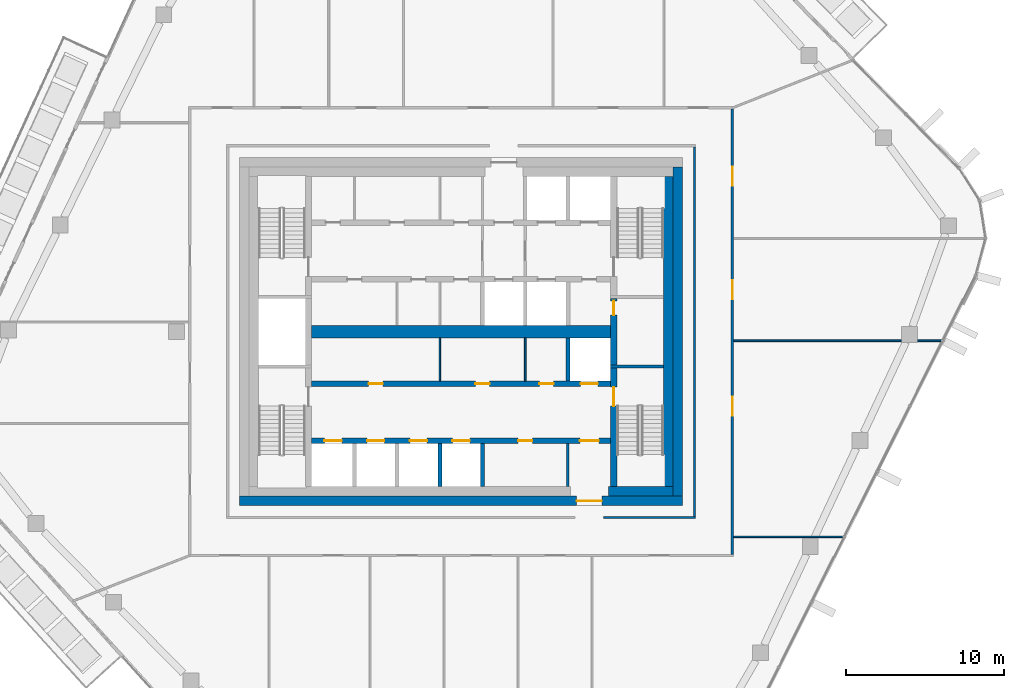
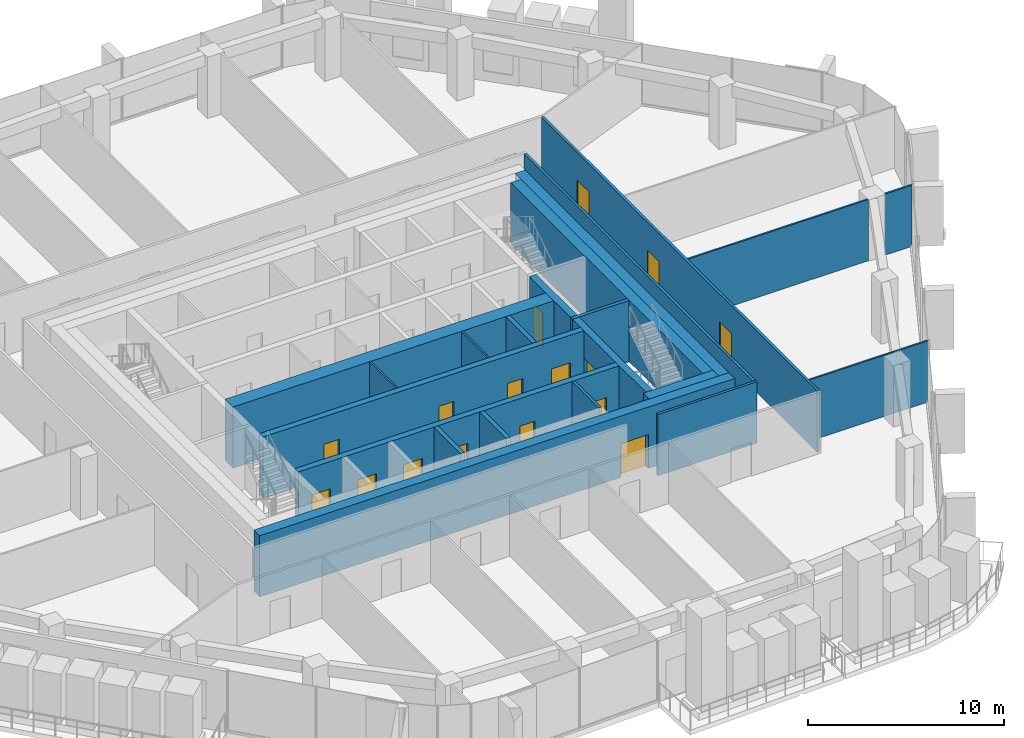
# One storey, part 14 of 23: 22 walls, 16 doors, 16 openings.
"""IFC4 building model written with IfcOpenShell, lengths in metres."""

from ifc_helpers import new_model, si_unit, direction, frame, frame_2d, origin, place, context, subcontext, project, spatial, rectangle, extrude, material, layer, layer_set, type_object, element, fill, save


model = new_model("IFC4")

# Units and contexts
model_context = context("Model", 3, precision=1e-05, world=origin(), true_north=direction((0.0, 1.0)))
body_context = subcontext(model_context, "Body", "Model", "MODEL_VIEW")
ifc_project = project(units=[si_unit("LENGTHUNIT", "METRE"), si_unit("AREAUNIT", "SQUARE_METRE"), si_unit("VOLUMEUNIT", "CUBIC_METRE"), si_unit("PLANEANGLEUNIT", "RADIAN"), si_unit("MASSUNIT", "GRAM", prefix="KILO")], contexts=[model_context])

# Site, building, storey
site_placement = place(None, origin())
site = spatial("IfcSite", under=ifc_project, at=site_placement, CompositionType="ELEMENT")
building_placement = place(site_placement, origin())
building = spatial("IfcBuilding", under=site, at=building_placement, Name="Dongbaek Canopy Tower", CompositionType="ELEMENT")
storey_placement = place(building_placement, frame((0.0, 0.0, 315.199951171875)))
storey = spatial("IfcBuildingStorey", under=building, at=storey_placement, Name="L67", CompositionType="ELEMENT", Elevation=315.199951171875)

# Wall
ifc_material_1 = material(Name="Concrete C60/75", Category="concrete")
ifc_layer_1 = layer(ifc_material_1, 0.800048828125)
ifc_layer_set_1 = layer_set([ifc_layer_1], Name="Core central wall 800 Concrete C60/75")
wall_type_1 = type_object("IfcWallType", Name="Core central wall 800 Concrete C60/75", PredefinedType="SHEAR", material=ifc_layer_set_1)
wall_1_placement = place(storey_placement, frame((-9.449951171875, 0.0, 0.0), z_axis=(0.0, 0.0, 1.0), x_axis=(1.0, 0.0, 0.0)))
element("IfcWall", 1, at=wall_1_placement, inside=storey, type_object=wall_type_1, Name="Core wall", PredefinedType="SHEAR", context=body_context, shape_type="SweptSolid", body=[
    extrude(rectangle(XDim=18.89990234375, YDim=0.800048828125, at=frame_2d((9.449951171875, 0.0))), origin(), (0.0, 0.0, 1.0), 3.820068359375),
])

# Wall, openings, doors
ifc_material_2 = material(Name="Concrete C60/75", Category="concrete")
ifc_layer_2 = layer(ifc_material_2, 0.35009765625)
ifc_layer_set_2 = layer_set([ifc_layer_2], Name="Core lobby wall 350 Concrete C60/75")
wall_type_2 = type_object("IfcWallType", Name="Core lobby wall 350 Concrete C60/75", PredefinedType="SHEAR", material=ifc_layer_set_2)
wall_2_placement = place(storey_placement, frame((-9.449951171875, -3.300048828125, 0.0), z_axis=(0.0, 0.0, 1.0), x_axis=(1.0, 0.0, 0.0)))
wall_2 = element("IfcWall", 2, at=wall_2_placement, inside=storey, type_object=wall_type_2, Name="Core wall", PredefinedType="SHEAR", context=body_context, shape_type="SweptSolid", body=[
    extrude(rectangle(XDim=18.89990234375, YDim=0.35009765625, at=frame_2d((9.449951171875, 0.0))), origin(), (0.0, 0.0, 1.0), 3.820068359375),
])
opening_1_placement = place(wall_2_placement, frame((17.0, 0.0, 0.0)))
opening_1 = element("IfcOpeningElement", 3, at=opening_1_placement, cuts=wall_2, Name="Opening L67-D027", PredefinedType="OPENING", context=body_context, shape_type="SweptSolid", body=[
    extrude(rectangle(XDim=1.10009765625, YDim=2.10009765625, at=frame_2d((0.550048828125, 1.050048828125))), frame((0.0, 0.18505859375, 0.0), z_axis=(0.0, -1.0, 0.0), x_axis=(1.0, 0.0, 0.0)), (0.0, 0.0, 1.0), 0.3701171875),
])
opening_2_placement = place(wall_2_placement, frame((3.60009765625, 0.0, 0.0)))
opening_2 = element("IfcOpeningElement", 4, at=opening_2_placement, cuts=wall_2, Name="Opening L67-D040", PredefinedType="OPENING", context=body_context, shape_type="SweptSolid", body=[
    extrude(rectangle(XDim=0.89990234375, YDim=2.10009765625, at=frame_2d((0.449951171875, 1.050048828125))), frame((0.0, 0.18505859375, 0.0), z_axis=(0.0, -1.0, 0.0), x_axis=(1.0, 0.0, 0.0)), (0.0, 0.0, 1.0), 0.3701171875),
])
opening_3_placement = place(wall_2_placement, frame((10.35009765625, 0.0, 0.0)))
opening_3 = element("IfcOpeningElement", 5, at=opening_3_placement, cuts=wall_2, Name="Opening L67-D041", PredefinedType="OPENING", context=body_context, shape_type="SweptSolid", body=[
    extrude(rectangle(XDim=0.89990234375, YDim=2.10009765625, at=frame_2d((0.449951171875, 1.050048828125))), frame((0.0, 0.18505859375, 0.0), z_axis=(0.0, -1.0, 0.0), x_axis=(1.0, 0.0, 0.0)), (0.0, 0.0, 1.0), 0.3701171875),
])
opening_4_placement = place(wall_2_placement, frame((14.39990234375, 0.0, 0.0)))
opening_4 = element("IfcOpeningElement", 6, at=opening_4_placement, cuts=wall_2, Name="Opening L67-D042", PredefinedType="OPENING", context=body_context, shape_type="SweptSolid", body=[
    extrude(rectangle(XDim=0.89990234375, YDim=2.10009765625, at=frame_2d((0.449951171875, 1.050048828125))), frame((0.0, 0.18505859375, 0.0), z_axis=(0.0, -1.0, 0.0), x_axis=(1.0, 0.0, 0.0)), (0.0, 0.0, 1.0), 0.3701171875),
])
ifc_material_3 = material(Name="Steel", Category="steel")
door_type_1 = type_object("IfcDoorType", Name="Core room door 900 x 2100", OperationType="SINGLE_SWING_LEFT", PredefinedType="DOOR", material=ifc_material_3)
door_1_placement = place(opening_2_placement, origin())
door_1 = element("IfcDoor", 7, at=door_1_placement, inside=storey, type_object=door_type_1, Name="Door L67-D040", OperationType="SINGLE_SWING_RIGHT", OverallHeight=2.10009765625, OverallWidth=0.89990234375, PredefinedType="DOOR", context=body_context, shape_type="SweptSolid", body=[
    extrude(rectangle(XDim=0.89990234375, YDim=2.10009765625, at=frame_2d((0.449951171875, 1.050048828125))), frame((0.0, 0.02490234375, 0.0), z_axis=(0.0, -1.0, 0.0), x_axis=(1.0, 0.0, 0.0)), (0.0, 0.0, 1.0), 0.050048828125),
])
fill(opening_2, door_1)
door_2_placement = place(opening_3_placement, origin())
door_2 = element("IfcDoor", 8, at=door_2_placement, inside=storey, type_object=door_type_1, Name="Door L67-D041", OperationType="SINGLE_SWING_LEFT", OverallHeight=2.10009765625, OverallWidth=0.89990234375, PredefinedType="DOOR", context=body_context, shape_type="SweptSolid", body=[
    extrude(rectangle(XDim=0.89990234375, YDim=2.10009765625, at=frame_2d((0.449951171875, 1.050048828125))), frame((0.0, 0.02490234375, 0.0), z_axis=(0.0, -1.0, 0.0), x_axis=(1.0, 0.0, 0.0)), (0.0, 0.0, 1.0), 0.050048828125),
])
fill(opening_3, door_2)
door_3_placement = place(opening_4_placement, origin())
door_3 = element("IfcDoor", 9, at=door_3_placement, inside=storey, type_object=door_type_1, Name="Door L67-D042", OperationType="SINGLE_SWING_RIGHT", OverallHeight=2.10009765625, OverallWidth=0.89990234375, PredefinedType="DOOR", context=body_context, shape_type="SweptSolid", body=[
    extrude(rectangle(XDim=0.89990234375, YDim=2.10009765625, at=frame_2d((0.449951171875, 1.050048828125))), frame((0.0, 0.02490234375, 0.0), z_axis=(0.0, -1.0, 0.0), x_axis=(1.0, 0.0, 0.0)), (0.0, 0.0, 1.0), 0.050048828125),
])
fill(opening_4, door_3)
ifc_material_4 = material(Name="Stainless steel", Category="steel")
door_type_2 = type_object("IfcDoorType", Name="Lift landing door 1100 x 2100", OperationType="DOUBLE_DOOR_SLIDING", PredefinedType="DOOR", material=ifc_material_4)
door_4_placement = place(opening_1_placement, origin())
door_4 = element("IfcDoor", 10, at=door_4_placement, inside=storey, type_object=door_type_2, Name="Landing door SV2", OperationType="DOUBLE_DOOR_SLIDING", OverallHeight=2.10009765625, OverallWidth=1.10009765625, PredefinedType="DOOR", context=body_context, shape_type="SweptSolid", body=[
    extrude(rectangle(XDim=1.10009765625, YDim=2.10009765625, at=frame_2d((0.550048828125, 1.050048828125))), frame((0.0, 0.02490234375, 0.0), z_axis=(0.0, -1.0, 0.0), x_axis=(1.0, 0.0, 0.0)), (0.0, 0.0, 1.0), 0.050048828125),
])
fill(opening_1, door_4)

wall_3_placement = place(storey_placement, frame((9.449951171875, -6.89990234375, 0.0), z_axis=(0.0, 0.0, 1.0), x_axis=(-1.0, 0.0, 0.0)))
wall_3 = element("IfcWall", 11, at=wall_3_placement, inside=storey, type_object=wall_type_2, Name="Core wall", PredefinedType="SHEAR", context=body_context, shape_type="SweptSolid", body=[
    extrude(rectangle(XDim=18.89990234375, YDim=0.35009765625, at=frame_2d((9.449951171875, 0.0))), origin(), (0.0, 0.0, 1.0), 3.820068359375),
])
opening_5_placement = place(wall_3_placement, frame((17.0, 0.0, 0.0)))
opening_5 = element("IfcOpeningElement", 12, at=opening_5_placement, cuts=wall_3, Name="Opening L67-D028", PredefinedType="OPENING", context=body_context, shape_type="SweptSolid", body=[
    extrude(rectangle(XDim=1.10009765625, YDim=2.10009765625, at=frame_2d((0.550048828125, 1.050048828125))), frame((0.0, 0.18505859375, 0.0), z_axis=(0.0, -1.0, 0.0), x_axis=(1.0, 0.0, 0.0)), (0.0, 0.0, 1.0), 0.3701171875),
])
opening_6_placement = place(wall_3_placement, frame((14.300048828125, 0.0, 0.0)))
opening_6 = element("IfcOpeningElement", 13, at=opening_6_placement, cuts=wall_3, Name="Opening L67-D029", PredefinedType="OPENING", context=body_context, shape_type="SweptSolid", body=[
    extrude(rectangle(XDim=1.10009765625, YDim=2.10009765625, at=frame_2d((0.550048828125, 1.050048828125))), frame((0.0, 0.18505859375, 0.0), z_axis=(0.0, -1.0, 0.0), x_axis=(1.0, 0.0, 0.0)), (0.0, 0.0, 1.0), 0.3701171875),
])
opening_7_placement = place(wall_3_placement, frame((11.60009765625, 0.0, 0.0)))
opening_7 = element("IfcOpeningElement", 14, at=opening_7_placement, cuts=wall_3, Name="Opening L67-D030", PredefinedType="OPENING", context=body_context, shape_type="SweptSolid", body=[
    extrude(rectangle(XDim=1.10009765625, YDim=2.10009765625, at=frame_2d((0.550048828125, 1.050048828125))), frame((0.0, 0.18505859375, 0.0), z_axis=(0.0, -1.0, 0.0), x_axis=(1.0, 0.0, 0.0)), (0.0, 0.0, 1.0), 0.3701171875),
])
opening_8_placement = place(wall_3_placement, frame((8.89990234375, 0.0, 0.0)))
opening_8 = element("IfcOpeningElement", 15, at=opening_8_placement, cuts=wall_3, Name="Opening L67-D031", PredefinedType="OPENING", context=body_context, shape_type="SweptSolid", body=[
    extrude(rectangle(XDim=1.10009765625, YDim=2.10009765625, at=frame_2d((0.550048828125, 1.050048828125))), frame((0.0, 0.18505859375, 0.0), z_axis=(0.0, -1.0, 0.0), x_axis=(1.0, 0.0, 0.0)), (0.0, 0.0, 1.0), 0.3701171875),
])
opening_9_placement = place(wall_3_placement, frame((0.75, 0.0, 0.0)))
opening_9 = element("IfcOpeningElement", 16, at=opening_9_placement, cuts=wall_3, Name="Opening L67-D033", PredefinedType="OPENING", context=body_context, shape_type="SweptSolid", body=[
    extrude(rectangle(XDim=1.199951171875, YDim=2.10009765625, at=frame_2d((0.60009765625, 1.050048828125))), frame((0.0, 0.18505859375, 0.0), z_axis=(0.0, -1.0, 0.0), x_axis=(1.0, 0.0, 0.0)), (0.0, 0.0, 1.0), 0.3701171875),
])
opening_10_placement = place(wall_3_placement, frame((4.949951171875, 0.0, 0.0)))
opening_10 = element("IfcOpeningElement", 17, at=opening_10_placement, cuts=wall_3, Name="Opening L67-D043", PredefinedType="OPENING", context=body_context, shape_type="SweptSolid", body=[
    extrude(rectangle(XDim=0.89990234375, YDim=2.10009765625, at=frame_2d((0.449951171875, 1.050048828125))), frame((0.0, 0.18505859375, 0.0), z_axis=(0.0, -1.0, 0.0), x_axis=(1.0, 0.0, 0.0)), (0.0, 0.0, 1.0), 0.3701171875),
])
door_5_placement = place(opening_10_placement, origin())
door_5 = element("IfcDoor", 18, at=door_5_placement, inside=storey, type_object=door_type_1, Name="Door L67-D043", OperationType="SINGLE_SWING_LEFT", OverallHeight=2.10009765625, OverallWidth=0.89990234375, PredefinedType="DOOR", context=body_context, shape_type="SweptSolid", body=[
    extrude(rectangle(XDim=0.89990234375, YDim=2.10009765625, at=frame_2d((0.449951171875, 1.050048828125))), frame((0.0, 0.02490234375, 0.0), z_axis=(0.0, -1.0, 0.0), x_axis=(1.0, 0.0, 0.0)), (0.0, 0.0, 1.0), 0.050048828125),
])
fill(opening_10, door_5)
ifc_material_5 = material(Name="Steel", Category="steel")
door_type_3 = type_object("IfcDoorType", Name="Fire lobby door 1200 x 2100", OperationType="SINGLE_SWING_LEFT", PredefinedType="DOOR", material=ifc_material_5)
door_6_placement = place(opening_9_placement, origin())
door_6 = element("IfcDoor", 19, at=door_6_placement, inside=storey, type_object=door_type_3, Name="Door L67-D033", OperationType="SINGLE_SWING_LEFT", OverallHeight=2.10009765625, OverallWidth=1.199951171875, PredefinedType="DOOR", context=body_context, shape_type="SweptSolid", body=[
    extrude(rectangle(XDim=1.199951171875, YDim=2.10009765625, at=frame_2d((0.60009765625, 1.050048828125))), frame((0.0, 0.02490234375, 0.0), z_axis=(0.0, -1.0, 0.0), x_axis=(1.0, 0.0, 0.0)), (0.0, 0.0, 1.0), 0.050048828125),
])
fill(opening_9, door_6)
door_7_placement = place(opening_5_placement, origin())
door_7 = element("IfcDoor", 20, at=door_7_placement, inside=storey, type_object=door_type_2, Name="Landing door HR1", OperationType="DOUBLE_DOOR_SLIDING", OverallHeight=2.10009765625, OverallWidth=1.10009765625, PredefinedType="DOOR", context=body_context, shape_type="SweptSolid", body=[
    extrude(rectangle(XDim=1.10009765625, YDim=2.10009765625, at=frame_2d((0.550048828125, 1.050048828125))), frame((0.0, 0.02490234375, 0.0), z_axis=(0.0, -1.0, 0.0), x_axis=(1.0, 0.0, 0.0)), (0.0, 0.0, 1.0), 0.050048828125),
])
fill(opening_5, door_7)
door_8_placement = place(opening_6_placement, origin())
door_8 = element("IfcDoor", 21, at=door_8_placement, inside=storey, type_object=door_type_2, Name="Landing door HR2", OperationType="DOUBLE_DOOR_SLIDING", OverallHeight=2.10009765625, OverallWidth=1.10009765625, PredefinedType="DOOR", context=body_context, shape_type="SweptSolid", body=[
    extrude(rectangle(XDim=1.10009765625, YDim=2.10009765625, at=frame_2d((0.550048828125, 1.050048828125))), frame((0.0, 0.02490234375, 0.0), z_axis=(0.0, -1.0, 0.0), x_axis=(1.0, 0.0, 0.0)), (0.0, 0.0, 1.0), 0.050048828125),
])
fill(opening_6, door_8)
door_9_placement = place(opening_7_placement, origin())
door_9 = element("IfcDoor", 22, at=door_9_placement, inside=storey, type_object=door_type_2, Name="Landing door HR3", OperationType="DOUBLE_DOOR_SLIDING", OverallHeight=2.10009765625, OverallWidth=1.10009765625, PredefinedType="DOOR", context=body_context, shape_type="SweptSolid", body=[
    extrude(rectangle(XDim=1.10009765625, YDim=2.10009765625, at=frame_2d((0.550048828125, 1.050048828125))), frame((0.0, 0.02490234375, 0.0), z_axis=(0.0, -1.0, 0.0), x_axis=(1.0, 0.0, 0.0)), (0.0, 0.0, 1.0), 0.050048828125),
])
fill(opening_7, door_9)
door_10_placement = place(opening_8_placement, origin())
door_10 = element("IfcDoor", 23, at=door_10_placement, inside=storey, type_object=door_type_2, Name="Landing door HR4", OperationType="DOUBLE_DOOR_SLIDING", OverallHeight=2.10009765625, OverallWidth=1.10009765625, PredefinedType="DOOR", context=body_context, shape_type="SweptSolid", body=[
    extrude(rectangle(XDim=1.10009765625, YDim=2.10009765625, at=frame_2d((0.550048828125, 1.050048828125))), frame((0.0, 0.02490234375, 0.0), z_axis=(0.0, -1.0, 0.0), x_axis=(1.0, 0.0, 0.0)), (0.0, 0.0, 1.0), 0.050048828125),
])
fill(opening_8, door_10)

# Wall, opening, door
ifc_material_6 = material(Name="Concrete C80/95", Category="concrete")
ifc_layer_3 = layer(ifc_material_6, 0.60009765625)
ifc_layer_set_3 = layer_set([ifc_layer_3], Name="Core outer wall 600 Concrete C80/95")
wall_type_3 = type_object("IfcWallType", Name="Core outer wall 600 Concrete C80/95", PredefinedType="SHEAR", material=ifc_layer_set_3)
wall_4_placement = place(storey_placement, frame((14.0, -10.699951171875, 0.0), z_axis=(0.0, 0.0, 1.0), x_axis=(-1.0, 0.0, 0.0)))
wall_4 = element("IfcWall", 24, at=wall_4_placement, inside=storey, type_object=wall_type_3, Name="Core wall", PredefinedType="SHEAR", context=body_context, shape_type="SweptSolid", body=[
    extrude(rectangle(XDim=28.0, YDim=0.60009765625, at=frame_2d((14.0, 0.0))), origin(), (0.0, 0.0, 1.0), 3.820068359375),
])
opening_11_placement = place(wall_4_placement, frame((5.10009765625, 0.0, 0.0)))
opening_11 = element("IfcOpeningElement", 25, at=opening_11_placement, cuts=wall_4, Name="Opening L67-D032", PredefinedType="OPENING", context=body_context, shape_type="SweptSolid", body=[
    extrude(rectangle(XDim=1.60009765625, YDim=2.10009765625, at=frame_2d((0.800048828125, 1.050048828125))), frame((0.0, 0.31005859375, 0.0), z_axis=(0.0, -1.0, 0.0), x_axis=(1.0, 0.0, 0.0)), (0.0, 0.0, 1.0), 0.6201171875),
])
ifc_material_7 = material(Name="Steel", Category="steel")
door_type_4 = type_object("IfcDoorType", Name="Core exit door 1600 x 2100", OperationType="DOUBLE_DOOR_SINGLE_SWING", PredefinedType="DOOR", material=ifc_material_7)
door_11_placement = place(opening_11_placement, origin())
door_11 = element("IfcDoor", 26, at=door_11_placement, inside=storey, type_object=door_type_4, Name="Core exit door", OperationType="DOUBLE_DOOR_SINGLE_SWING", OverallHeight=2.10009765625, OverallWidth=1.60009765625, PredefinedType="DOOR", context=body_context, shape_type="SweptSolid", body=[
    extrude(rectangle(XDim=1.60009765625, YDim=2.10009765625, at=frame_2d((0.800048828125, 1.050048828125))), frame((0.0, 0.02490234375, 0.0), z_axis=(0.0, -1.0, 0.0), x_axis=(1.0, 0.0, 0.0)), (0.0, 0.0, 1.0), 0.050048828125),
])
fill(opening_11, door_11)

# Walls
wall_5_placement = place(storey_placement, frame((13.699951171875, 10.39990234375, 0.0), z_axis=(0.0, 0.0, 1.0), x_axis=(0.0, -1.0, 0.0)))
element("IfcWall", 27, at=wall_5_placement, inside=storey, type_object=wall_type_3, Name="Core wall", PredefinedType="SHEAR", context=body_context, shape_type="SweptSolid", body=[
    extrude(rectangle(XDim=20.7998046875, YDim=0.60009765625, at=frame_2d((10.39990234375, 0.0))), origin(), (0.0, 0.0, 1.0), 3.820068359375),
])
ifc_material_8 = material(Name="Concrete C60/75", Category="concrete")
ifc_layer_4 = layer(ifc_material_8, 0.60009765625)
ifc_layer_set_4 = layer_set([ifc_layer_4], Name="Core wall lining 600 Concrete C60/75")
wall_type_4 = type_object("IfcWallType", Name="Core wall lining 600 Concrete C60/75", PredefinedType="SHEAR", material=ifc_layer_set_4)
wall_6_placement = place(storey_placement, frame((13.39990234375, -10.10009765625, 0.0), z_axis=(0.0, 0.0, 1.0), x_axis=(-1.0, 0.0, 0.0)))
element("IfcWall", 28, at=wall_6_placement, inside=storey, type_object=wall_type_4, Name="Core wall lining", PredefinedType="SHEAR", context=body_context, shape_type="SweptSolid", body=[
    extrude(rectangle(XDim=4.099853515625, YDim=0.60009765625, at=frame_2d((2.0498046875, 0.0))), origin(), (0.0, 0.0, 1.0), 3.820068359375),
])
wall_7_placement = place(storey_placement, frame((13.10009765625, 9.800048828125, 0.0), z_axis=(0.0, 0.0, 1.0), x_axis=(0.0, -1.0, 0.0)))
element("IfcWall", 29, at=wall_7_placement, inside=storey, type_object=wall_type_4, Name="Core wall lining", PredefinedType="SHEAR", context=body_context, shape_type="SweptSolid", body=[
    extrude(rectangle(XDim=19.60009765625, YDim=0.60009765625, at=frame_2d((9.800048828125, 0.0))), origin(), (0.0, 0.0, 1.0), 3.820068359375),
])
ifc_material_9 = material(Name="Gypsum board partition, steel stud, 2 x 15 mm fire board", Category="steel")
ifc_layer_5 = layer(ifc_material_9, 0.14990234375)
ifc_layer_set_5 = layer_set([ifc_layer_5], Name="Fire-rated partition 150 gypsum board")
wall_type_5 = type_object("IfcWallType", Name="Fire-rated partition 150 gypsum board", PredefinedType="PARTITIONING", material=ifc_layer_set_5)
wall_8_placement = place(storey_placement, frame((9.0, -11.75, 0.0), z_axis=(0.0, 0.0, 1.0), x_axis=(1.0, 0.0, 0.0)))
element("IfcWall", 30, at=wall_8_placement, inside=storey, type_object=wall_type_5, Name="Corridor partition", PredefinedType="PARTITIONING", context=body_context, shape_type="SweptSolid", body=[
    extrude(rectangle(XDim=5.824951171875, YDim=0.14990234375, at=frame_2d((2.91259765625, 0.0))), origin(), (0.0, 0.0, 1.0), 3.820068359375),
])

# Wall, openings, doors
wall_9_placement = place(storey_placement, frame((17.14990234375, 14.074951171875, 0.0), z_axis=(0.0, 0.0, 1.0), x_axis=(0.0, -1.0, 0.0)))
wall_9 = element("IfcWall", 31, at=wall_9_placement, inside=storey, type_object=wall_type_5, Name="Corridor partition", PredefinedType="PARTITIONING", context=body_context, shape_type="SweptSolid", body=[
    extrude(rectangle(XDim=28.14990234375, YDim=0.14990234375, at=frame_2d((14.074951171875, 0.0))), origin(), (0.0, 0.0, 1.0), 3.820068359375),
])
opening_12_placement = place(wall_9_placement, frame((18.18212890625, 0.0, 0.0)))
opening_12 = element("IfcOpeningElement", 32, at=opening_12_placement, cuts=wall_9, Name="Opening L67-D009", PredefinedType="OPENING", context=body_context, shape_type="SweptSolid", body=[
    extrude(rectangle(XDim=1.199951171875, YDim=2.10009765625, at=frame_2d((0.60009765625, 1.050048828125))), frame((0.0, 0.0849609375, 0.0), z_axis=(0.0, -1.0, 0.0), x_axis=(1.0, 0.0, 0.0)), (0.0, 0.0, 1.0), 0.169921875),
])
opening_13_placement = place(wall_9_placement, frame((10.811279296875, 0.0, 0.0)))
opening_13 = element("IfcOpeningElement", 33, at=opening_13_placement, cuts=wall_9, Name="Opening L67-D010", PredefinedType="OPENING", context=body_context, shape_type="SweptSolid", body=[
    extrude(rectangle(XDim=1.199951171875, YDim=2.10009765625, at=frame_2d((0.60009765625, 1.050048828125))), frame((0.0, 0.0849609375, 0.0), z_axis=(0.0, -1.0, 0.0), x_axis=(1.0, 0.0, 0.0)), (0.0, 0.0, 1.0), 0.169921875),
])
opening_14_placement = place(wall_9_placement, frame((3.64697265625, 0.0, 0.0)))
opening_14 = element("IfcOpeningElement", 34, at=opening_14_placement, cuts=wall_9, Name="Opening L67-D011", PredefinedType="OPENING", context=body_context, shape_type="SweptSolid", body=[
    extrude(rectangle(XDim=1.199951171875, YDim=2.10009765625, at=frame_2d((0.60009765625, 1.050048828125))), frame((0.0, 0.0849609375, 0.0), z_axis=(0.0, -1.0, 0.0), x_axis=(1.0, 0.0, 0.0)), (0.0, 0.0, 1.0), 0.169921875),
])
ifc_material_10 = material(Name="Timber veneered door leaf", Category="wood")
door_type_5 = type_object("IfcDoorType", Name="Room door 1200 x 2100", OperationType="SINGLE_SWING_LEFT", PredefinedType="DOOR", material=ifc_material_10)
door_12_placement = place(opening_12_placement, origin())
door_12 = element("IfcDoor", 35, at=door_12_placement, inside=storey, type_object=door_type_5, Name="Door L67-D009", OperationType="SINGLE_SWING_RIGHT", OverallHeight=2.10009765625, OverallWidth=1.199951171875, PredefinedType="DOOR", context=body_context, shape_type="SweptSolid", body=[
    extrude(rectangle(XDim=1.199951171875, YDim=2.10009765625, at=frame_2d((0.60009765625, 1.050048828125))), frame((0.0, 0.02490234375, 0.0), z_axis=(0.0, -1.0, 0.0), x_axis=(1.0, 0.0, 0.0)), (0.0, 0.0, 1.0), 0.050048828125),
])
fill(opening_12, door_12)
door_13_placement = place(opening_13_placement, origin())
door_13 = element("IfcDoor", 36, at=door_13_placement, inside=storey, type_object=door_type_5, Name="Door L67-D010", OperationType="SINGLE_SWING_LEFT", OverallHeight=2.10009765625, OverallWidth=1.199951171875, PredefinedType="DOOR", context=body_context, shape_type="SweptSolid", body=[
    extrude(rectangle(XDim=1.199951171875, YDim=2.10009765625, at=frame_2d((0.60009765625, 1.050048828125))), frame((0.0, 0.02490234375, 0.0), z_axis=(0.0, -1.0, 0.0), x_axis=(1.0, 0.0, 0.0)), (0.0, 0.0, 1.0), 0.050048828125),
])
fill(opening_13, door_13)
door_14_placement = place(opening_14_placement, origin())
door_14 = element("IfcDoor", 37, at=door_14_placement, inside=storey, type_object=door_type_5, Name="Door L67-D011", OperationType="SINGLE_SWING_RIGHT", OverallHeight=2.10009765625, OverallWidth=1.199951171875, PredefinedType="DOOR", context=body_context, shape_type="SweptSolid", body=[
    extrude(rectangle(XDim=1.199951171875, YDim=2.10009765625, at=frame_2d((0.60009765625, 1.050048828125))), frame((0.0, 0.02490234375, 0.0), z_axis=(0.0, -1.0, 0.0), x_axis=(1.0, 0.0, 0.0)), (0.0, 0.0, 1.0), 0.050048828125),
])
fill(opening_14, door_14)

# Walls
wall_10_placement = place(storey_placement, frame((14.75, -11.675048828125, 0.0), z_axis=(0.0, 0.0, 1.0), x_axis=(0.0, 1.0, 0.0)))
element("IfcWall", 38, at=wall_10_placement, inside=storey, type_object=wall_type_5, Name="Corridor partition", PredefinedType="PARTITIONING", context=body_context, shape_type="SweptSolid", body=[
    extrude(rectangle(XDim=23.35009765625, YDim=0.14990234375, at=frame_2d((11.675048828125, 0.0))), origin(), (0.0, 0.0, 1.0), 3.820068359375),
])
wall_11_placement = place(storey_placement, frame((6.75, -9.800048828125, 0.0), z_axis=(0.0, 0.0, 1.0), x_axis=(0.0, 1.0, 0.0)))
element("IfcWall", 39, at=wall_11_placement, inside=storey, type_object=wall_type_5, Name="Fire lobby partition", PredefinedType="PARTITIONING", context=body_context, shape_type="SweptSolid", body=[
    extrude(rectangle(XDim=2.72509765625, YDim=0.14990234375, at=frame_2d((1.362548828125, 0.0))), origin(), (0.0, 0.0, 1.0), 3.820068359375),
])
ifc_material_11 = material(Name="Concrete C40/50", Category="concrete")
ifc_layer_6 = layer(ifc_material_11, 0.25)
ifc_layer_set_6 = layer_set([ifc_layer_6], Name="Lift shaft wall 250 Concrete C40/50")
wall_type_6 = type_object("IfcWallType", Name="Lift shaft wall 250 Concrete C40/50", PredefinedType="SOLIDWALL", material=ifc_layer_set_6)
for number, where, z_axis, x_axis, name in (
    (40, (6.75, -3.125, 0.0), (0.0, 0.0, 1.0), (0.0, 1.0, 0.0), "Lift shaft wall"),
    (41, (1.35009765625, -9.800048828125, 0.0), (0.0, 0.0, 1.0), (0.0, 1.0, 0.0), "Lift shaft wall"),
    (42, (-1.35009765625, -9.800048828125, 0.0), (0.0, 0.0, 1.0), (0.0, 1.0, 0.0), "Lift shaft wall"),
):
    element("IfcWall", number, at=place(storey_placement, frame(where, z_axis=z_axis, x_axis=x_axis)), inside=storey, type_object=wall_type_6, Name=name, PredefinedType="SOLIDWALL", context=body_context, shape_type="SweptSolid", body=[
        extrude(rectangle(XDim=2.72509765625, YDim=0.25, at=frame_2d((1.362548828125, 0.0))), origin(), (0.0, 0.0, 1.0), 3.820068359375),
    ])
ifc_material_12 = material(Name="Gypsum board partition, steel stud, 2 x 12.5 mm board", Category="steel")
ifc_layer_7 = layer(ifc_material_12, 0.10009765625)
ifc_layer_set_7 = layer_set([ifc_layer_7], Name="Partition 100 gypsum board")
wall_type_7 = type_object("IfcWallType", Name="Partition 100 gypsum board", PredefinedType="PARTITIONING", material=ifc_layer_set_7)
wall_12_placement = place(storey_placement, frame((17.22509765625, -12.97509765625, 0.0), z_axis=(0.0, 0.0, 1.0), x_axis=(1.0, 0.0, 0.0)))
element("IfcWall", 43, at=wall_12_placement, inside=storey, type_object=wall_type_7, Name="Partition", PredefinedType="PARTITIONING", context=body_context, shape_type="SweptSolid", body=[
    extrude(rectangle(XDim=6.98681640625, YDim=0.10009765625, at=frame_2d((3.493408203125, 0.0))), origin(), (0.0, 0.0, 1.0), 3.820068359375),
])
wall_13_placement = place(storey_placement, frame((17.22509765625, -0.572998046875, 0.0), z_axis=(0.0, 0.0, 1.0), x_axis=(1.0, 0.0, 0.0)))
element("IfcWall", 44, at=wall_13_placement, inside=storey, type_object=wall_type_7, Name="Partition", PredefinedType="PARTITIONING", context=body_context, shape_type="SweptSolid", body=[
    extrude(rectangle(XDim=10.6259765625, YDim=0.10009765625, at=frame_2d((5.31298828125, 0.0))), origin(), (0.0, 0.0, 1.0), 3.820068359375),
])
wall_14_placement = place(storey_placement, frame((28.85107421875, -0.572998046875, 0.0), z_axis=(0.0, 0.0, 1.0), x_axis=(1.0, 0.0, 0.0)))
element("IfcWall", 45, at=wall_14_placement, inside=storey, type_object=wall_type_7, Name="Partition", PredefinedType="PARTITIONING", context=body_context, shape_type="SweptSolid", body=[
    extrude(rectangle(XDim=1.585693359375, YDim=0.10009765625, at=frame_2d((0.79296875, 0.0))), origin(), (0.0, 0.0, 1.0), 3.820068359375),
])
for number, where, z_axis, x_axis, name in (
    (46, (4.050048828125, -3.125, 0.0), (0.0, 0.0, 1.0), (0.0, 1.0, 0.0), "Core partition"),
    (47, (-1.35009765625, -3.125, 0.0), (0.0, 0.0, 1.0), (0.0, 1.0, 0.0), "Core partition"),
):
    element("IfcWall", number, at=place(storey_placement, frame(where, z_axis=z_axis, x_axis=x_axis)), inside=storey, type_object=wall_type_7, Name=name, PredefinedType="PARTITIONING", context=body_context, shape_type="SweptSolid", body=[
        extrude(rectangle(XDim=2.72509765625, YDim=0.10009765625, at=frame_2d((1.362548828125, 0.0))), origin(), (0.0, 0.0, 1.0), 3.820068359375),
    ])
ifc_material_13 = material(Name="Concrete C60/75", Category="concrete")
ifc_layer_8 = layer(ifc_material_13, 0.199951171875)
ifc_layer_set_8 = layer_set([ifc_layer_8], Name="Riser wall 200 Concrete C60/75")
wall_type_8 = type_object("IfcWallType", Name="Riser wall 200 Concrete C60/75", PredefinedType="SHEAR", material=ifc_layer_set_8)
wall_15_placement = place(storey_placement, frame((9.449951171875, -2.199951171875, 0.0), z_axis=(0.0, 0.0, 1.0), x_axis=(1.0, 0.0, 0.0)))
element("IfcWall", 48, at=wall_15_placement, inside=storey, type_object=wall_type_8, Name="Riser wall", PredefinedType="SHEAR", context=body_context, shape_type="SweptSolid", body=[
    extrude(rectangle(XDim=3.35009765625, YDim=0.199951171875, at=frame_2d((1.675048828125, 0.0))), origin(), (0.0, 0.0, 1.0), 3.820068359375),
])

# Wall, opening, door
ifc_material_14 = material(Name="Concrete C60/75", Category="concrete")
ifc_layer_9 = layer(ifc_material_14, 0.39990234375)
ifc_layer_set_9 = layer_set([ifc_layer_9], Name="Stair wall 400 Concrete C60/75")
wall_type_9 = type_object("IfcWallType", Name="Stair wall 400 Concrete C60/75", PredefinedType="SHEAR", material=ifc_layer_set_9)
wall_16_placement = place(storey_placement, frame((9.64990234375, -2.300048828125, 0.0), z_axis=(0.0, 0.0, 1.0), x_axis=(0.0, -1.0, 0.0)))
wall_16 = element("IfcWall", 49, at=wall_16_placement, inside=storey, type_object=wall_type_9, Name="Stair wall", PredefinedType="SHEAR", context=body_context, shape_type="SweptSolid", body=[
    extrude(rectangle(XDim=7.5, YDim=0.39990234375, at=frame_2d((3.75, 0.0))), origin(), (0.0, 0.0, 1.0), 3.820068359375),
])
opening_15_placement = place(wall_16_placement, frame((1.199951171875, 0.0, 0.0)))
opening_15 = element("IfcOpeningElement", 50, at=opening_15_placement, cuts=wall_16, Name="Opening L67-D046", PredefinedType="OPENING", context=body_context, shape_type="SweptSolid", body=[
    extrude(rectangle(XDim=1.199951171875, YDim=2.10009765625, at=frame_2d((0.60009765625, 1.050048828125))), frame((0.0, 0.2099609375, 0.0), z_axis=(0.0, -1.0, 0.0), x_axis=(1.0, 0.0, 0.0)), (0.0, 0.0, 1.0), 0.419921875),
])
ifc_material_15 = material(Name="Steel", Category="steel")
door_type_6 = type_object("IfcDoorType", Name="Stair door 1200 x 2100", OperationType="SINGLE_SWING_LEFT", PredefinedType="DOOR", material=ifc_material_15)
door_15_placement = place(opening_15_placement, origin())
door_15 = element("IfcDoor", 51, at=door_15_placement, inside=storey, type_object=door_type_6, Name="Stair B door", OperationType="SINGLE_SWING_RIGHT", OverallHeight=2.10009765625, OverallWidth=1.199951171875, PredefinedType="DOOR", context=body_context, shape_type="SweptSolid", body=[
    extrude(rectangle(XDim=1.199951171875, YDim=2.10009765625, at=frame_2d((0.60009765625, 1.050048828125))), frame((0.0, 0.02490234375, 0.0), z_axis=(0.0, -1.0, 0.0), x_axis=(1.0, 0.0, 0.0)), (0.0, 0.0, 1.0), 0.050048828125),
])
fill(opening_15, door_15)

wall_17_placement = place(storey_placement, frame((9.64990234375, 2.10009765625, 0.0), z_axis=(0.0, 0.0, 1.0), x_axis=(0.0, -1.0, 0.0)))
wall_17 = element("IfcWall", 52, at=wall_17_placement, inside=storey, type_object=wall_type_9, Name="Stair wall", PredefinedType="SHEAR", context=body_context, shape_type="SweptSolid", body=[
    extrude(rectangle(XDim=4.2001953125, YDim=0.39990234375, at=frame_2d((2.10009765625, 0.0))), origin(), (0.0, 0.0, 1.0), 3.820068359375),
])
opening_16_placement = place(wall_17_placement, frame((0.14990234375, 0.0, 0.0)))
opening_16 = element("IfcOpeningElement", 53, at=opening_16_placement, cuts=wall_17, Name="Opening L67-D019", PredefinedType="OPENING", context=body_context, shape_type="SweptSolid", body=[
    extrude(rectangle(XDim=0.89990234375, YDim=2.10009765625, at=frame_2d((0.449951171875, 1.050048828125))), frame((0.0, 0.2099609375, 0.0), z_axis=(0.0, -1.0, 0.0), x_axis=(1.0, 0.0, 0.0)), (0.0, 0.0, 1.0), 0.419921875),
])
door_16_placement = place(opening_16_placement, origin())
door_16 = element("IfcDoor", 54, at=door_16_placement, inside=storey, type_object=door_type_1, Name="Door L67-D019", OperationType="SINGLE_SWING_RIGHT", OverallHeight=2.10009765625, OverallWidth=0.89990234375, PredefinedType="DOOR", context=body_context, shape_type="SweptSolid", body=[
    extrude(rectangle(XDim=0.89990234375, YDim=2.10009765625, at=frame_2d((0.449951171875, 1.050048828125))), frame((0.0, 0.02490234375, 0.0), z_axis=(0.0, -1.0, 0.0), x_axis=(1.0, 0.0, 0.0)), (0.0, 0.0, 1.0), 0.050048828125),
])
fill(opening_16, door_16)

save(model, "model.ifc")
